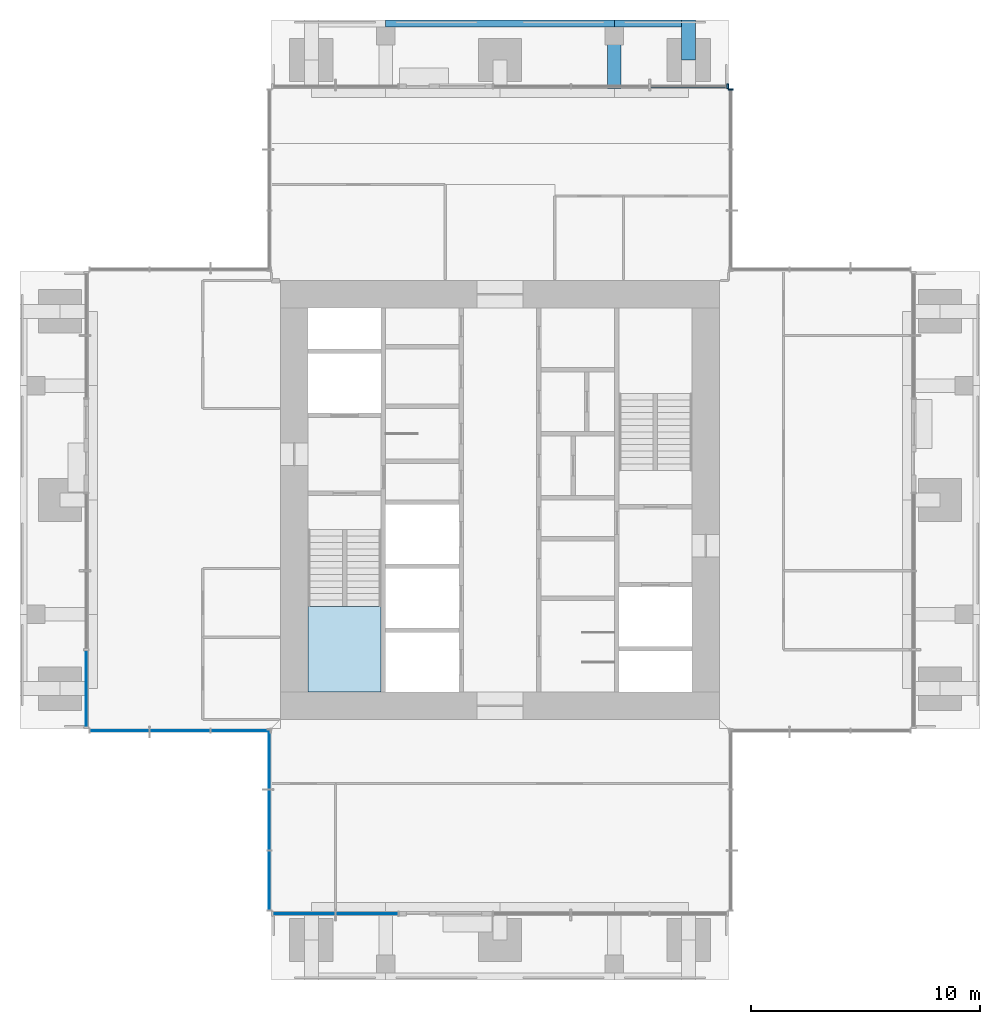
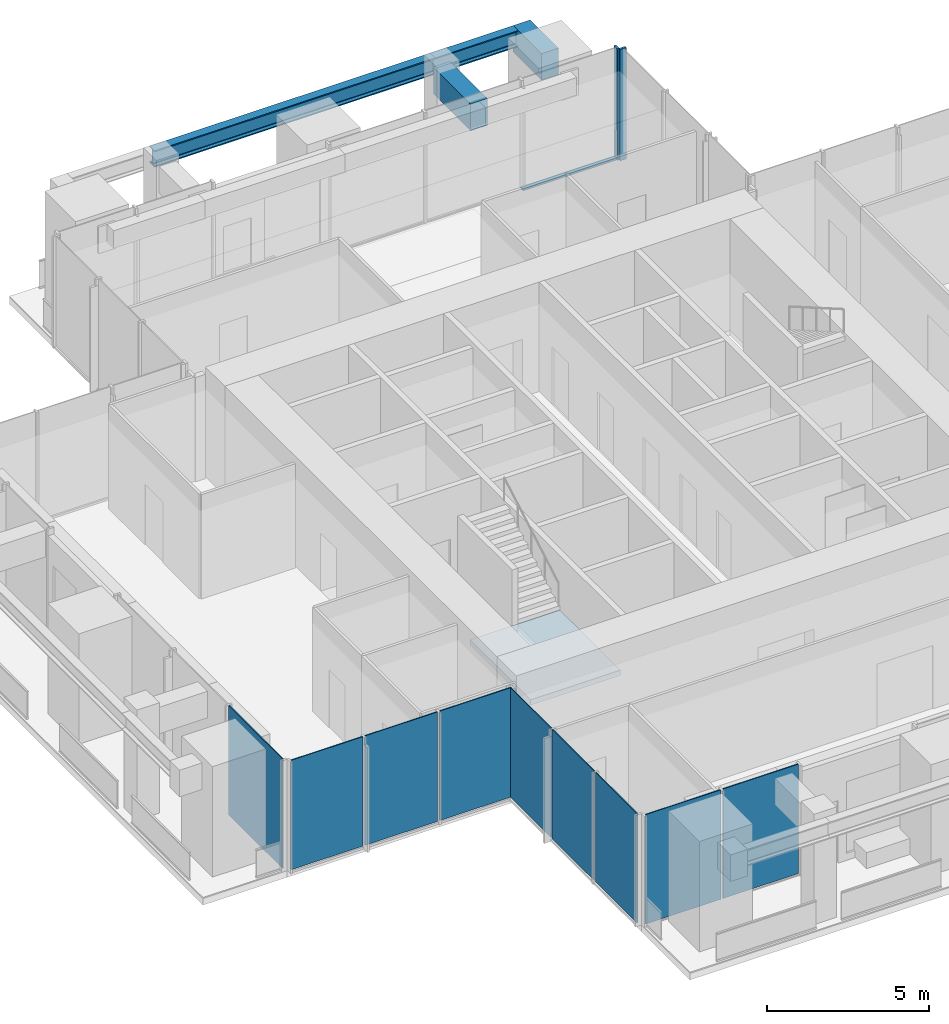
# One storey, part 5 of 12: 9 plates, 4 beams, 3 members, 1 slab, 7 elements without a shape of their own.
"""IFC4 building model written with IfcOpenShell, lengths in metres."""

from ifc_helpers import new_model, si_unit, direction, frame, origin, origin_2d, place, context, subcontext, project, spatial, polyline, rectangle, i_section, outline, extrude, material, layer, layer_set, material_profile, profile_set, type_object, element, aggregate, save


model = new_model("IFC4")

# Units and contexts
model_context = context("Model", 3, precision=1e-05, world=origin(), true_north=direction((0.0, 1.0)))
body_context = subcontext(model_context, "Body", "Model", "MODEL_VIEW")
ifc_project = project(units=[si_unit("LENGTHUNIT", "METRE"), si_unit("AREAUNIT", "SQUARE_METRE"), si_unit("VOLUMEUNIT", "CUBIC_METRE"), si_unit("PLANEANGLEUNIT", "RADIAN"), si_unit("MASSUNIT", "GRAM", prefix="KILO")], contexts=[model_context])

# Site, building, storey
site_placement = place(None, origin())
site = spatial("IfcSite", under=ifc_project, at=site_placement, CompositionType="ELEMENT")
building_placement = place(site_placement, origin())
building = spatial("IfcBuilding", under=site, at=building_placement, Name="Svetlomir Tower", CompositionType="ELEMENT")
storey_placement = place(building_placement, frame((0.0, 0.0, 265.0)))
storey = spatial("IfcBuildingStorey", under=building, at=storey_placement, Name="L63", CompositionType="ELEMENT", Elevation=265.0)

# Curtain wall, member
ifc_material_1 = material(Name="Bronze anodised aluminium curtain wall", Category="aluminium")
curtain_wall_type = type_object("IfcCurtainWallType", Name="CURTAIN WALL CW4 EXECUTIVE", PredefinedType="NOTDEFINED", material=ifc_material_1)
curtain_wall_1_placement = place(storey_placement, origin())
curtain_wall_1 = element("IfcCurtainWall", 1, at=curtain_wall_1_placement, inside=storey, type_object=curtain_wall_type, Name="Curtain wall CW4 L63", PredefinedType="NOTDEFINED")
ifc_material_2 = material(Name="Bronze anodised aluminium", Category="aluminium")
ifc_material_profile_1 = material_profile(ifc_material_2, rectangle(XDim=0.074951171875, YDim=0.219970703125, at=origin_2d()), Name="AL 75x220")
ifc_profile_set_1 = profile_set([ifc_material_profile_1], Name="Bronze anodised aluminium 6063-T6")
member_type_1 = type_object("IfcMemberType", Name="CW4 MULLION 75x220", PredefinedType="MULLION", material=ifc_profile_set_1)
member_1_placement = place(storey_placement, frame((31.10009765625, 38.96240234375, 0.0), z_axis=(0.0, 0.0, 1.0), x_axis=(0.0, 1.0, 0.0)))
member_1 = element("IfcMember", 2, at=member_1_placement, type_object=member_type_1, Name="CW4 mullion 4", PredefinedType="MULLION", context=body_context, shape_type="SweptSolid", body=[
    extrude(rectangle(XDim=0.074951171875, YDim=0.219970703125, at=origin_2d()), origin(), (0.0, 0.0, 1.0), 4.199951171875),
])
aggregate(curtain_wall_1, [member_1])

# Curtain wall, members
curtain_wall_2_placement = place(storey_placement, origin())
curtain_wall_2 = element("IfcCurtainWall", 3, at=curtain_wall_2_placement, inside=storey, type_object=curtain_wall_type, Name="Curtain wall CW4 L63", PredefinedType="NOTDEFINED")
member_2_placement = place(storey_placement, frame((30.96240234375, 39.10009765625, 0.0), z_axis=(0.0, 0.0, 1.0), x_axis=(-1.0, 0.0, 0.0)))
member_2 = element("IfcMember", 4, at=member_2_placement, type_object=member_type_1, Name="CW4 mullion 1", PredefinedType="MULLION", context=body_context, shape_type="SweptSolid", body=[
    extrude(rectangle(XDim=0.074951171875, YDim=0.219970703125, at=origin_2d()), origin(), (0.0, 0.0, 1.0), 4.199951171875),
])
ifc_material_3 = material(Name="Bronze anodised aluminium", Category="aluminium")
ifc_material_profile_2 = material_profile(ifc_material_3, rectangle(XDim=0.14990234375, YDim=0.074951171875, at=origin_2d()), Name="AL 150x75")
ifc_profile_set_2 = profile_set([ifc_material_profile_2], Name="Bronze anodised aluminium 6063-T6")
member_type_2 = type_object("IfcMemberType", Name="CW4 TRANSOM 75x150", PredefinedType="USERDEFINED", material=ifc_profile_set_2)
member_3_placement = place(storey_placement, frame((30.925048828125, 39.10009765625, 0.03759765625), z_axis=(-1.0, 0.0, 0.0), x_axis=(0.0, -1.0, 0.0)))
member_3 = element("IfcMember", 5, at=member_3_placement, type_object=member_type_2, Name="CW4 transom 1.1", ObjectType="TRANSOM", PredefinedType="USERDEFINED", context=body_context, shape_type="SweptSolid", body=[
    extrude(rectangle(XDim=0.14990234375, YDim=0.074951171875, at=origin_2d()), origin(), (0.0, 0.0, 1.0), 3.337646484375),
])
aggregate(curtain_wall_2, [member_2, member_3])

# Beams
ifc_material_4 = material(Name="Steel S355", Category="steel")
ifc_material_profile_3 = material_profile(ifc_material_4, i_section(OverallWidth=0.304931640625, OverallDepth=0.6201171875, WebThickness=0.02099609375, FlangeThickness=0.0400390625, FilletRadius=0.027099609375, at=origin_2d()), Name="HEM 600")
ifc_profile_set_3 = profile_set([ifc_material_profile_3], Name="Steel S355")
beam_type_1 = type_object("IfcBeamType", Name="EDGE BEAM HEM 600", PredefinedType="SPANDREL", material=ifc_profile_set_3)
beam_1_placement = place(storey_placement, frame((16.0, 41.847412109375, 3.639892578125), z_axis=(1.0, 0.0, 0.0), x_axis=(0.0, 1.0, 0.0)))
element("IfcBeam", 6, at=beam_1_placement, inside=storey, type_object=beam_type_1, Name="Edge beam 16/42 to 26/42 under L64", PredefinedType="SPANDREL", context=body_context, shape_type="SweptSolid", body=[
    extrude(i_section(OverallWidth=0.304931640625, OverallDepth=0.6201171875, WebThickness=0.02099609375, FlangeThickness=0.0400390625, FilletRadius=0.027099609375, at=origin_2d()), origin(), (0.0, 0.0, 1.0), 10.0),
])
beam_2_placement = place(storey_placement, frame((26.0, 41.847412109375, 3.639892578125), z_axis=(1.0, 0.0, 0.0), x_axis=(0.0, 1.0, 0.0)))
element("IfcBeam", 7, at=beam_2_placement, inside=storey, type_object=beam_type_1, Name="Edge beam 26/42 to 31/42 under L64", PredefinedType="SPANDREL", context=body_context, shape_type="SweptSolid", body=[
    extrude(i_section(OverallWidth=0.304931640625, OverallDepth=0.6201171875, WebThickness=0.02099609375, FlangeThickness=0.0400390625, FilletRadius=0.027099609375, at=origin_2d()), origin(), (0.0, 0.0, 1.0), 2.949951171875),
])
ifc_material_5 = material(Name="Concrete C60/75", Category="concrete")
ifc_material_profile_4 = material_profile(ifc_material_5, rectangle(XDim=0.60009765625, YDim=1.0, at=origin_2d()), Name="RC 600x1000")
ifc_profile_set_4 = profile_set([ifc_material_profile_4], Name="Concrete C60/75")
beam_type_2 = type_object("IfcBeamType", Name="EDGE LINK BEAM RC 600x1000", PredefinedType="BEAM", material=ifc_profile_set_4)
beam_3_placement = place(storey_placement, frame((29.25, 40.25, 3.449951171875), z_axis=(0.0, 1.0, 0.0), x_axis=(-1.0, 0.0, 0.0)))
element("IfcBeam", 8, at=beam_3_placement, inside=storey, type_object=beam_type_2, Name="Edge link beam N 31/42 under L64", PredefinedType="BEAM", context=body_context, shape_type="SweptSolid", body=[
    extrude(rectangle(XDim=0.60009765625, YDim=1.0, at=origin_2d()), origin(), (0.0, 0.0, 1.0), 1.75),
])
ifc_material_6 = material(Name="Concrete C60/75", Category="concrete")
ifc_material_profile_5 = material_profile(ifc_material_6, rectangle(XDim=0.60009765625, YDim=1.0, at=origin_2d()), Name="RC 600x1000")
ifc_profile_set_5 = profile_set([ifc_material_profile_5], Name="Concrete C60/75")
beam_type_3 = type_object("IfcBeamType", Name="LOGGIA LINK BEAM RC 600x1000", PredefinedType="BEAM", material=ifc_profile_set_5)
beam_4_placement = place(storey_placement, frame((26.0, 41.300048828125, 3.449951171875), z_axis=(0.0, -1.0, 0.0), x_axis=(1.0, 0.0, 0.0)))
element("IfcBeam", 9, at=beam_4_placement, inside=storey, type_object=beam_type_3, Name="Loggia link beam N 26 under L64", PredefinedType="BEAM", context=body_context, shape_type="SweptSolid", body=[
    extrude(rectangle(XDim=0.60009765625, YDim=1.0, at=origin_2d()), origin(), (0.0, 0.0, 1.0), 2.300048828125),
])

# Curtain wall, plates
curtain_wall_3_placement = place(storey_placement, origin())
curtain_wall_3 = element("IfcCurtainWall", 10, at=curtain_wall_3_placement, inside=storey, type_object=curtain_wall_type, Name="Curtain wall CW4 L63", PredefinedType="NOTDEFINED")
ifc_material_7 = material(Name="Tinted double glazed unit", Category="glass")
ifc_layer_1 = layer(ifc_material_7, 0.035888671875)
ifc_layer_set_1 = layer_set([ifc_layer_1], Name="Tinted double glazed unit")
plate_type = type_object("IfcPlateType", Name="CW4 GLAZED PANEL 36", PredefinedType="CURTAIN_PANEL", material=ifc_layer_set_1)
plate_1_placement = place(storey_placement, frame((12.418701171875, 2.89990234375, 0.074951171875), z_axis=(0.0, 0.0, 1.0), x_axis=(1.0, 0.0, 0.0)))
plate_1 = element("IfcPlate", 11, at=plate_1_placement, type_object=plate_type, Name="CW4 panel 1.1", PredefinedType="CURTAIN_PANEL", context=body_context, shape_type="SweptSolid", body=[
    extrude(rectangle(XDim=2.6875, YDim=0.035888671875, at=origin_2d()), origin(), (0.0, 0.0, 1.0), 4.125),
])
plate_2_placement = place(storey_placement, frame((15.18115234375, 2.89990234375, 0.074951171875), z_axis=(0.0, 0.0, 1.0), x_axis=(1.0, 0.0, 0.0)))
plate_2 = element("IfcPlate", 12, at=plate_2_placement, type_object=plate_type, Name="CW4 panel 2.1", PredefinedType="CURTAIN_PANEL", context=body_context, shape_type="SweptSolid", body=[
    extrude(rectangle(XDim=2.6875, YDim=0.035888671875, at=origin_2d()), origin(), (0.0, 0.0, 1.0), 4.125),
])
aggregate(curtain_wall_3, [plate_1, plate_2])

# Curtain wall, plate
curtain_wall_4_placement = place(storey_placement, origin())
curtain_wall_4 = element("IfcCurtainWall", 13, at=curtain_wall_4_placement, inside=storey, type_object=curtain_wall_type, Name="Curtain wall CW4 L63", PredefinedType="NOTDEFINED")
plate_3_placement = place(storey_placement, frame((2.89990234375, 12.74365234375, 0.074951171875), z_axis=(0.0, 0.0, 1.0), x_axis=(0.0, -1.0, 0.0)))
plate_3 = element("IfcPlate", 14, at=plate_3_placement, type_object=plate_type, Name="CW4 panel 3.1", PredefinedType="CURTAIN_PANEL", context=body_context, shape_type="SweptSolid", body=[
    extrude(rectangle(XDim=3.33740234375, YDim=0.035888671875, at=origin_2d()), origin(), (0.0, 0.0, 1.0), 4.125),
])
aggregate(curtain_wall_4, [plate_3])

# Curtain wall, plates
curtain_wall_5_placement = place(storey_placement, origin())
curtain_wall_5 = element("IfcCurtainWall", 15, at=curtain_wall_5_placement, inside=storey, type_object=curtain_wall_type, Name="Curtain wall CW4 L63", PredefinedType="NOTDEFINED")
plate_4_placement = place(storey_placement, frame((4.35205078125, 10.89990234375, 0.074951171875), z_axis=(0.0, 0.0, 1.0), x_axis=(1.0, 0.0, 0.0)))
plate_4 = element("IfcPlate", 16, at=plate_4_placement, type_object=plate_type, Name="CW4 panel 1.1", PredefinedType="CURTAIN_PANEL", context=body_context, shape_type="SweptSolid", body=[
    extrude(rectangle(XDim=2.55419921875, YDim=0.035888671875, at=origin_2d()), origin(), (0.0, 0.0, 1.0), 4.125),
])
plate_5_placement = place(storey_placement, frame((7.0, 10.89990234375, 0.074951171875), z_axis=(0.0, 0.0, 1.0), x_axis=(1.0, 0.0, 0.0)))
plate_5 = element("IfcPlate", 17, at=plate_5_placement, type_object=plate_type, Name="CW4 panel 2.1", PredefinedType="CURTAIN_PANEL", context=body_context, shape_type="SweptSolid", body=[
    extrude(rectangle(XDim=2.591552734375, YDim=0.035888671875, at=origin_2d()), origin(), (0.0, 0.0, 1.0), 4.125),
])
plate_6_placement = place(storey_placement, frame((9.64794921875, 10.89990234375, 0.074951171875), z_axis=(0.0, 0.0, 1.0), x_axis=(1.0, 0.0, 0.0)))
plate_6 = element("IfcPlate", 18, at=plate_6_placement, type_object=plate_type, Name="CW4 panel 3.1", PredefinedType="CURTAIN_PANEL", context=body_context, shape_type="SweptSolid", body=[
    extrude(rectangle(XDim=2.55419921875, YDim=0.035888671875, at=origin_2d()), origin(), (0.0, 0.0, 1.0), 4.125),
])
aggregate(curtain_wall_5, [plate_4, plate_5, plate_6])

curtain_wall_6_placement = place(storey_placement, origin())
curtain_wall_6 = element("IfcCurtainWall", 19, at=curtain_wall_6_placement, inside=storey, type_object=curtain_wall_type, Name="Curtain wall CW4 L63", PredefinedType="NOTDEFINED")
plate_7_placement = place(storey_placement, frame((10.89990234375, 9.64794921875, 0.074951171875), z_axis=(0.0, 0.0, 1.0), x_axis=(0.0, -1.0, 0.0)))
plate_7 = element("IfcPlate", 20, at=plate_7_placement, type_object=plate_type, Name="CW4 panel 1.1", PredefinedType="CURTAIN_PANEL", context=body_context, shape_type="SweptSolid", body=[
    extrude(rectangle(XDim=2.55419921875, YDim=0.035888671875, at=origin_2d()), origin(), (0.0, 0.0, 1.0), 4.125),
])
plate_8_placement = place(storey_placement, frame((10.89990234375, 7.0, 0.074951171875), z_axis=(0.0, 0.0, 1.0), x_axis=(0.0, -1.0, 0.0)))
plate_8 = element("IfcPlate", 21, at=plate_8_placement, type_object=plate_type, Name="CW4 panel 2.1", PredefinedType="CURTAIN_PANEL", context=body_context, shape_type="SweptSolid", body=[
    extrude(rectangle(XDim=2.591552734375, YDim=0.035888671875, at=origin_2d()), origin(), (0.0, 0.0, 1.0), 4.125),
])
plate_9_placement = place(storey_placement, frame((10.89990234375, 4.35205078125, 0.074951171875), z_axis=(0.0, 0.0, 1.0), x_axis=(0.0, -1.0, 0.0)))
plate_9 = element("IfcPlate", 22, at=plate_9_placement, type_object=plate_type, Name="CW4 panel 3.1", PredefinedType="CURTAIN_PANEL", context=body_context, shape_type="SweptSolid", body=[
    extrude(rectangle(XDim=2.55419921875, YDim=0.035888671875, at=origin_2d()), origin(), (0.0, 0.0, 1.0), 4.125),
])
aggregate(curtain_wall_6, [plate_7, plate_8, plate_9])

# Stair, slab
ifc_material_8 = material(Name="Concrete C60/75", Category="concrete")
stair_type = type_object("IfcStairType", Name="EXIT STAIR 3200 RISE 4200", PredefinedType="HALF_TURN_STAIR", material=ifc_material_8)
stair_placement = place(storey_placement, origin())
stair = element("IfcStair", 23, at=stair_placement, inside=storey, type_object=stair_type, Name="Stair S1 L63 to L64", PredefinedType="HALF_TURN_STAIR")
ifc_material_9 = material(Name="Concrete C60/75", Category="concrete")
ifc_layer_2 = layer(ifc_material_9, 0.199951171875)
ifc_layer_set_2 = layer_set([ifc_layer_2], Name="Concrete C60/75")
slab_type = type_object("IfcSlabType", Name="STAIR LANDING 200", PredefinedType="LANDING", material=ifc_layer_set_2)
slab_placement = place(storey_placement, frame((0.0, 0.0, 1.89990234375)))
slab = element("IfcSlab", 24, at=slab_placement, type_object=slab_type, Name="S1 landing 1", PredefinedType="LANDING", context=body_context, shape_type="SweptSolid", body=[
    extrude(outline(polyline([(12.60009765625, 12.60009765625), (15.800048828125, 12.60009765625), (15.800048828125, 16.340087890625), (12.60009765625, 16.340087890625), (12.60009765625, 12.60009765625)])), origin(), (0.0, 0.0, 1.0), 0.2001953125),
])
aggregate(stair, [slab])

save(model, "model.ifc")
